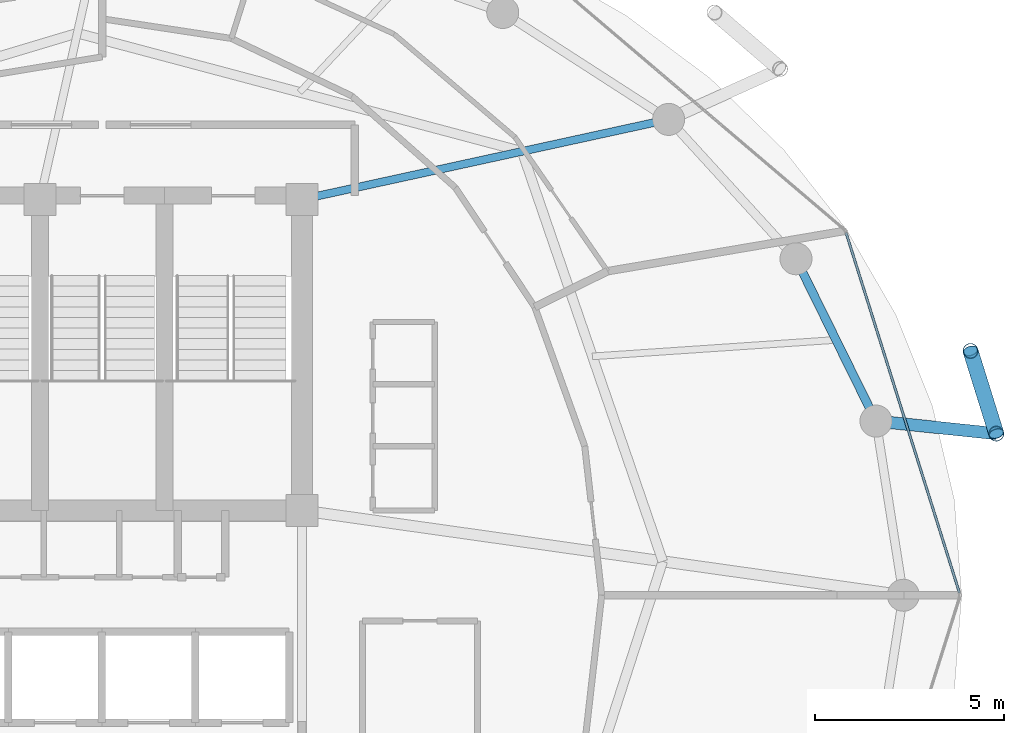
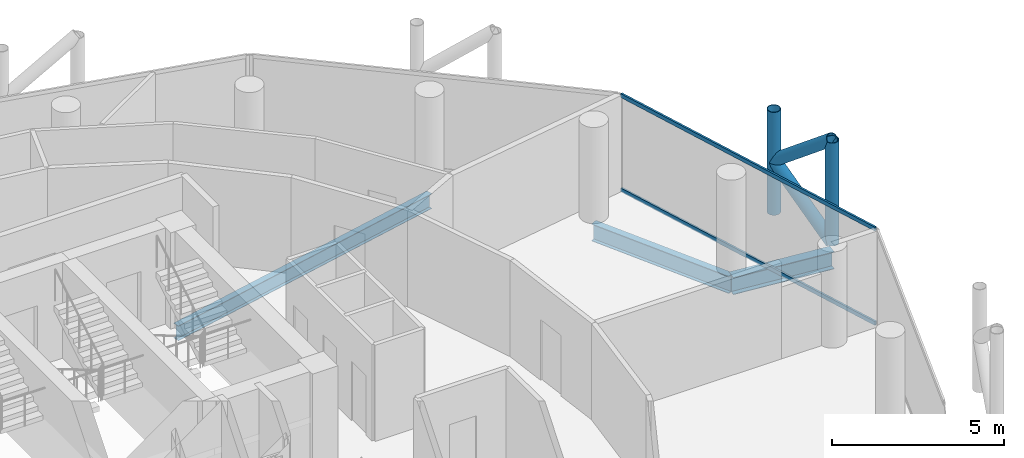
# One storey, part 16 of 27: 6 members, 3 beams, 1 element without a shape of its own.
"""IFC4 building model written with IfcOpenShell, lengths in metres."""

from ifc_helpers import new_model, si_unit, direction, frame, origin, origin_2d, place, context, subcontext, project, spatial, hollow_rectangle, hollow_circle, i_section, extrude, material, layer, layer_set, material_profile, profile_set, type_object, element, aggregate, save


model = new_model("IFC4")

# Units and contexts
model_context = context("Model", 3, precision=1e-05, world=origin(), true_north=direction((0.0, 1.0)))
body_context = subcontext(model_context, "Body", "Model", "MODEL_VIEW")
ifc_project = project(units=[si_unit("LENGTHUNIT", "METRE"), si_unit("AREAUNIT", "SQUARE_METRE"), si_unit("VOLUMEUNIT", "CUBIC_METRE"), si_unit("PLANEANGLEUNIT", "RADIAN"), si_unit("MASSUNIT", "GRAM", prefix="KILO")], contexts=[model_context])

# Site, building, storey
site_placement = place(None, origin())
site = spatial("IfcSite", under=ifc_project, at=site_placement, CompositionType="ELEMENT")
building_placement = place(site_placement, origin())
building = spatial("IfcBuilding", under=site, at=building_placement, Name="Nuhasar Tower", CompositionType="ELEMENT")
storey_placement = place(building_placement, frame((0.0, 0.0, 233.699951171875)))
storey = spatial("IfcBuildingStorey", under=building, at=storey_placement, Name="L57", CompositionType="ELEMENT", Elevation=233.699951171875)

# Beams
ifc_material_1 = material(Name="Steel S355", Category="steel")
ifc_material_profile_1 = material_profile(ifc_material_1, i_section(OverallWidth=0.208984375, OverallDepth=0.528076171875, WebThickness=0.009521484375, FlangeThickness=0.01318359375, at=origin_2d()), Name="W21X55")
ifc_profile_set_1 = profile_set([ifc_material_profile_1], Name="Steel S355")
beam_type_1 = type_object("IfcBeamType", Name="BM-RAD-W21X55", PredefinedType="BEAM", material=ifc_profile_set_1)
beam_1_placement = place(storey_placement, frame((44.300048828125, 37.300048828125, -0.50390625), z_axis=(0.977014275474, 0.213173885644, 0.0), x_axis=(-0.213173885644, 0.977014275474, 0.0)))
element("IfcBeam", 1, at=beam_1_placement, inside=storey, type_object=beam_type_1, Name="L57 Radial Floor Girder 05", PredefinedType="BEAM", context=body_context, shape_type="SweptSolid", body=[
    extrude(i_section(OverallWidth=0.208984375, OverallDepth=0.528076171875, WebThickness=0.009521484375, FlangeThickness=0.01318359375, at=origin_2d()), origin(), (0.0, 0.0, 1.0), 9.95458984375),
])
ifc_material_profile_2 = material_profile(ifc_material_1, i_section(OverallWidth=0.22802734375, OverallDepth=0.60791015625, WebThickness=0.01123046875, FlangeThickness=0.017333984375, at=origin_2d()), Name="W24X76")
ifc_profile_set_2 = profile_set([ifc_material_profile_2], Name="Steel S355")
beam_type_2 = type_object("IfcBeamType", Name="BM-RING-W24X76", PredefinedType="SPANDREL", material=ifc_profile_set_2)
beam_2_placement = place(storey_placement, frame((59.52587890625, 31.419921875, -0.5439453125), z_axis=(-0.442242604409, 0.896895467067, 0.0), x_axis=(-0.896895467067, -0.442242604409, 0.0)))
element("IfcBeam", 2, at=beam_2_placement, inside=storey, type_object=beam_type_2, Name="L57 Perimeter Ring Spandrel 02", PredefinedType="SPANDREL", context=body_context, shape_type="SweptSolid", body=[
    extrude(i_section(OverallWidth=0.22802734375, OverallDepth=0.60791015625, WebThickness=0.01123046875, FlangeThickness=0.017333984375, at=origin_2d()), origin(), (0.0, 0.0, 1.0), 4.800048828125),
])
ifc_material_profile_3 = material_profile(ifc_material_1, i_section(OverallWidth=0.323974609375, OverallDepth=0.611083984375, WebThickness=0.0126953125, FlangeThickness=0.01904296875, at=origin_2d()), Name="W24X104")
ifc_profile_set_3 = profile_set([ifc_material_profile_3], Name="Steel S355")
beam_type_3 = type_object("IfcBeamType", Name="BM-TIE-W24X104", PredefinedType="BEAM", material=ifc_profile_set_3)
beam_3_placement = place(storey_placement, frame((59.52587890625, 31.419921875, -0.544921875), z_axis=(0.994571111079, -0.10405914187, 0.0), x_axis=(0.10405914187, 0.994571111079, 0.0)))
element("IfcBeam", 3, at=beam_3_placement, inside=storey, type_object=beam_type_3, Name="L57 Exoskeleton Node Tie Beam 01", PredefinedType="BEAM", context=body_context, shape_type="SweptSolid", body=[
    extrude(i_section(OverallWidth=0.323974609375, OverallDepth=0.611083984375, WebThickness=0.0126953125, FlangeThickness=0.01904296875, at=origin_2d()), origin(), (0.0, 0.0, 1.0), 3.20947265625),
])

# Curtain wall, members
ifc_material_2 = material(Name="Aluminium 6063-T6", Category="aluminium")
ifc_layer = layer(ifc_material_2, 0.18994140625)
ifc_layer_set = layer_set([ifc_layer], Name="Aluminium 6063-T6")
curtain_wall_type = type_object("IfcCurtainWallType", Name="CW-Z3-RES", PredefinedType="NOTDEFINED", material=ifc_layer_set)
curtain_wall_placement = place(storey_placement, origin())
curtain_wall = element("IfcCurtainWall", 4, at=curtain_wall_placement, inside=storey, type_object=curtain_wall_type, Name="L57 Unitised Curtain Wall 01", PredefinedType="NOTDEFINED")
ifc_material_profile_4 = material_profile(ifc_material_2, hollow_rectangle(XDim=0.06494140625, YDim=0.139892578125, WallThickness=0.00439453125, at=origin_2d()), Name="CWT-4")
ifc_profile_set_4 = profile_set([ifc_material_profile_4], Name="Aluminium 6063-T6")
member_type_1 = type_object("IfcMemberType", Name="CW-TRN-S4", PredefinedType="USERDEFINED", material=ifc_profile_set_4)
member_1_placement = place(storey_placement, frame((61.740478515625, 26.862060546875, 0.032470703125), z_axis=(-0.300437373386, 0.953801543652, 0.0), x_axis=(-0.953801543652, -0.300437373386, 0.0)))
member_1 = element("IfcMember", 5, at=member_1_placement, type_object=member_type_1, Name="CW-Z3 transom 1.1", ObjectType="TRANSOM", PredefinedType="USERDEFINED", context=body_context, shape_type="SweptSolid", body=[
    extrude(hollow_rectangle(XDim=0.06494140625, YDim=0.139892578125, WallThickness=0.00439453125, at=origin_2d()), origin(), (0.0, 0.0, 1.0), 10.018798828125),
])
member_2_placement = place(storey_placement, frame((61.740478515625, 26.862060546875, 3.37744140625), z_axis=(-0.300437373386, 0.953801543652, 0.0), x_axis=(-0.953801543652, -0.300437373386, 0.0)))
member_2 = element("IfcMember", 6, at=member_2_placement, type_object=member_type_1, Name="CW-Z3 transom 1.2", ObjectType="TRANSOM", PredefinedType="USERDEFINED", context=body_context, shape_type="SweptSolid", body=[
    extrude(hollow_rectangle(XDim=0.06494140625, YDim=0.139892578125, WallThickness=0.00439453125, at=origin_2d()), origin(), (0.0, 0.0, 1.0), 10.018798828125),
])
aggregate(curtain_wall, [member_1, member_2])

# Members
ifc_material_3 = material(Name="Steel S460", Category="steel")
ifc_material_profile_5 = material_profile(ifc_material_3, hollow_circle(Radius=0.203125, WallThickness=0.01904296875, at=origin_2d()), Name="HSS406.4X19.1")
ifc_profile_set_5 = profile_set([ifc_material_profile_5], Name="Steel S460")
member_type_2 = type_object("IfcMemberType", Name="EXO-BRONZE-406", PredefinedType="BRACE", material=ifc_profile_set_5)
for number, where, z_axis, x_axis, name in (
    (7, (62.718017578125, 31.0859375, 0.0), (0.0, 0.0, 1.0), (1.0, 0.0, 0.0), "L57 Exoskeleton Chord Column EC-01A"),
    (8, (62.032958984375, 33.281005859375, 0.0), (0.0, 0.0, 1.0), (1.0, 0.0, 0.0), "L57 Exoskeleton Chord Column EC-01B"),
):
    element("IfcMember", number, at=place(storey_placement, frame(where, z_axis=z_axis, x_axis=x_axis)), inside=storey, type_object=member_type_2, Name=name, PredefinedType="BRACE", context=body_context, shape_type="SweptSolid", body=[
        extrude(hollow_circle(Radius=0.203125, WallThickness=0.01904296875, at=origin_2d()), origin(), (0.0, 0.0, 1.0), 3.650146484375),
    ])
member_3_placement = place(storey_placement, frame((62.718017578125, 31.0859375, 0.0), z_axis=(-0.233357911711, 0.747726651531, 0.621650174641), x_axis=(-0.954591372974, -0.297918295247, 0.0)))
element("IfcMember", 9, at=member_3_placement, inside=storey, type_object=member_type_2, Name="L57 Bronze Diagrid Brace W1-01", PredefinedType="BRACE", context=body_context, shape_type="SweptSolid", body=[
    extrude(hollow_circle(Radius=0.203125, WallThickness=0.01904296875, at=origin_2d()), origin(), (0.0, 0.0, 1.0), 2.935546875),
])
member_4_placement = place(storey_placement, frame((62.032958984375, 33.281005859375, 1.824951171875), z_axis=(0.233345847503, -0.747687995332, 0.621701195985), x_axis=(0.954591372974, 0.297918295247, 0.0)))
element("IfcMember", 10, at=member_4_placement, inside=storey, type_object=member_type_2, Name="L57 Bronze Diagrid Brace W2-01", PredefinedType="BRACE", context=body_context, shape_type="SweptSolid", body=[
    extrude(hollow_circle(Radius=0.203125, WallThickness=0.01904296875, at=origin_2d()), origin(), (0.0, 0.0, 1.0), 2.935791015625),
])

save(model, "model.ifc")
